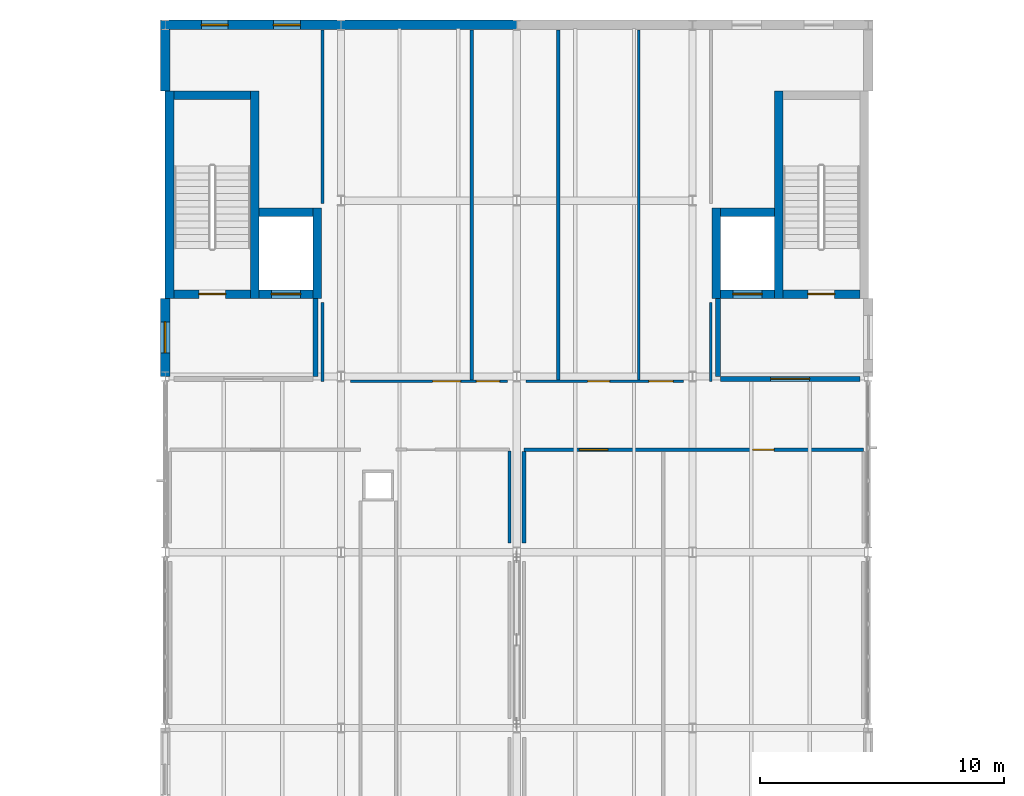
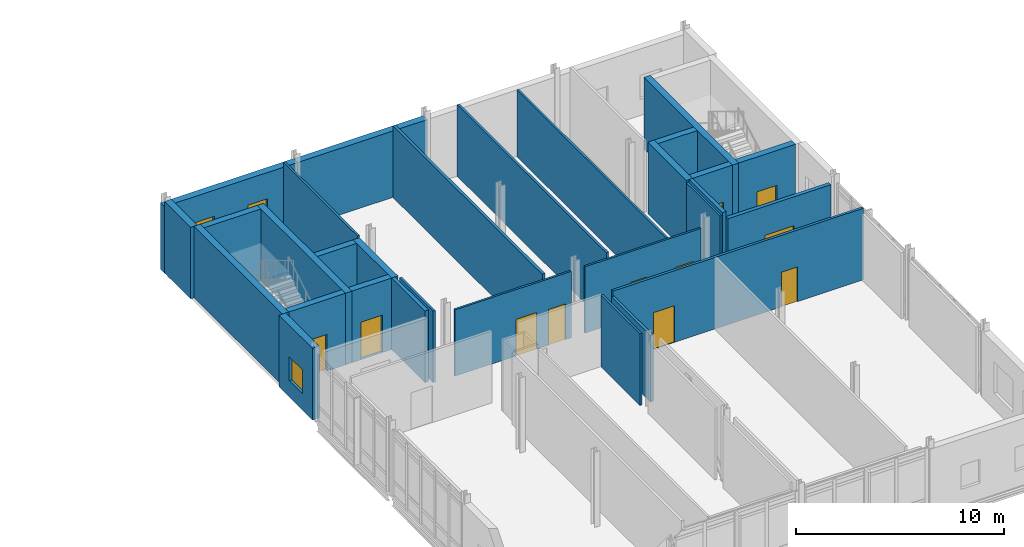
# One storey, part 61 of 72: 30 walls, 11 doors, 3 windows, 14 openings.
"""IFC4 building model written with IfcOpenShell, lengths in metres."""

from ifc_helpers import new_model, si_unit, direction, frame, frame_2d, origin, place, context, subcontext, project, spatial, rectangle, extrude, material, layer, layer_set, type_object, element, fill, save


model = new_model("IFC4")

# Units and contexts
model_context = context("Model", 3, precision=1e-05, world=origin(), true_north=direction((0.0, 1.0)))
body_context = subcontext(model_context, "Body", "Model", "MODEL_VIEW")
ifc_project = project(units=[si_unit("LENGTHUNIT", "METRE"), si_unit("AREAUNIT", "SQUARE_METRE"), si_unit("VOLUMEUNIT", "CUBIC_METRE"), si_unit("PLANEANGLEUNIT", "RADIAN"), si_unit("MASSUNIT", "GRAM", prefix="KILO")], contexts=[model_context])

# Site, building, storey
site_placement = place(None, origin())
site = spatial("IfcSite", under=ifc_project, at=site_placement, CompositionType="ELEMENT")
building_placement = place(site_placement, origin())
building = spatial("IfcBuilding", under=site, at=building_placement, Name="Zarrinpeak Specialist Clinic", CompositionType="ELEMENT")
storey_placement = place(building_placement, frame((0.0, 0.0, 9.60009765625)))
storey = spatial("IfcBuildingStorey", under=building, at=storey_placement, Name="L02", CompositionType="ELEMENT", Elevation=9.60009765625)

# Wall, opening, door
ifc_material_1 = material(Name="Concrete C40/50", Category="concrete")
ifc_layer_1 = layer(ifc_material_1, 0.35009765625)
ifc_layer_set_1 = layer_set([ifc_layer_1], Name="Concrete C40/50")
wall_type_1 = type_object("IfcWallType", Name="WL-CR350", PredefinedType="SHEAR", material=ifc_layer_set_1)
wall_1_placement = place(storey_placement, frame((36.35009765625, 106.97509765625, 0.0), z_axis=(0.0, 0.0, 1.0), x_axis=(1.0, 0.0, 0.0)))
wall_1 = element("IfcWall", 1, at=wall_1_placement, inside=storey, type_object=wall_type_1, Name="L02 Core C11 Shear Wall STS", PredefinedType="SHEAR", context=body_context, shape_type="SweptSolid", body=[
    extrude(rectangle(XDim=3.14990234375, YDim=0.35009765625, at=frame_2d((1.574951171875, 0.0))), origin(), (0.0, 0.0, 1.0), 4.199951171875),
])
opening_1_placement = place(wall_1_placement, frame((1.02490234375, 0.0, 0.0)))
opening_1 = element("IfcOpeningElement", 2, at=opening_1_placement, cuts=wall_1, Name="Opening D-S02", PredefinedType="OPENING", context=body_context, shape_type="SweptSolid", body=[
    extrude(rectangle(XDim=1.10009765625, YDim=2.14990234375, at=frame_2d((0.550048828125, 1.074951171875))), frame((0.0, 0.18505859375, 0.0), z_axis=(0.0, -1.0, 0.0), x_axis=(1.0, 0.0, 0.0)), (0.0, 0.0, 1.0), 0.3701171875),
])
ifc_material_2 = material(Name="Powder-Coated Galvanised Steel", Category="steel")
door_type_1 = type_object("IfcDoorType", Name="DR-FD110", OperationType="SINGLE_SWING_RIGHT", PredefinedType="DOOR", material=ifc_material_2)
door_1_placement = place(opening_1_placement, origin())
door_1 = element("IfcDoor", 3, at=door_1_placement, inside=storey, type_object=door_type_1, Name="L02 Protected Stair ST-11 Fire Door", OperationType="SINGLE_SWING_RIGHT", OverallHeight=2.14990234375, OverallWidth=1.10009765625, PredefinedType="DOOR", context=body_context, shape_type="SweptSolid", body=[
    extrude(rectangle(XDim=1.10009765625, YDim=2.14990234375, at=frame_2d((0.550048828125, 1.074951171875))), frame((0.0, 0.02490234375, 0.0), z_axis=(0.0, -1.0, 0.0), x_axis=(1.0, 0.0, 0.0)), (0.0, 0.0, 1.0), 0.050048828125),
])
fill(opening_1, door_1)

# Walls
wall_2_placement = place(storey_placement, frame((36.35009765625, 115.125, 0.0), z_axis=(0.0, 0.0, 1.0), x_axis=(1.0, 0.0, 0.0)))
element("IfcWall", 4, at=wall_2_placement, inside=storey, type_object=wall_type_1, Name="L02 Core C11 Shear Wall STN", PredefinedType="SHEAR", context=body_context, shape_type="SweptSolid", body=[
    extrude(rectangle(XDim=3.14990234375, YDim=0.35009765625, at=frame_2d((1.574951171875, 0.0))), origin(), (0.0, 0.0, 1.0), 4.199951171875),
])
for number, where, z_axis, x_axis, name in (
    (5, (36.175048828125, 106.800048828125, 0.0), (0.0, 0.0, 1.0), (0.0, 1.0, 0.0), "L02 Core C11 Shear Wall STW"),
    (6, (39.675048828125, 106.800048828125, 0.0), (0.0, 0.0, 1.0), (0.0, 1.0, 0.0), "L02 Core C11 Shear Wall STE"),
):
    element("IfcWall", number, at=place(storey_placement, frame(where, z_axis=z_axis, x_axis=x_axis)), inside=storey, type_object=wall_type_1, Name=name, PredefinedType="SHEAR", context=body_context, shape_type="SweptSolid", body=[
        extrude(rectangle(XDim=8.5, YDim=0.35009765625, at=frame_2d((4.25, 0.0))), origin(), (0.0, 0.0, 1.0), 4.199951171875),
    ])

# Wall, opening, door
wall_3_placement = place(storey_placement, frame((39.85009765625, 106.97509765625, 0.0), z_axis=(0.0, 0.0, 1.0), x_axis=(1.0, 0.0, 0.0)))
wall_3 = element("IfcWall", 7, at=wall_3_placement, inside=storey, type_object=wall_type_1, Name="L02 Lift LF-P1 Shaft Wall LFS", PredefinedType="SHEAR", context=body_context, shape_type="SweptSolid", body=[
    extrude(rectangle(XDim=2.199951171875, YDim=0.35009765625, at=frame_2d((1.10009765625, 0.0))), origin(), (0.0, 0.0, 1.0), 4.199951171875),
])
opening_2_placement = place(wall_3_placement, frame((0.5, 0.0, 0.0)))
opening_2 = element("IfcOpeningElement", 8, at=opening_2_placement, cuts=wall_3, Name="Opening LD-02", PredefinedType="OPENING", context=body_context, shape_type="SweptSolid", body=[
    extrude(rectangle(XDim=1.199951171875, YDim=2.199951171875, at=frame_2d((0.60009765625, 1.10009765625))), frame((0.0, 0.18505859375, 0.0), z_axis=(0.0, -1.0, 0.0), x_axis=(1.0, 0.0, 0.0)), (0.0, 0.0, 1.0), 0.3701171875),
])
door_type_2 = type_object("IfcDoorType", Name="DR-LD120", OperationType="SLIDING_TO_RIGHT", PredefinedType="DOOR", material=ifc_material_2)
door_2_placement = place(opening_2_placement, origin())
door_2 = element("IfcDoor", 9, at=door_2_placement, inside=storey, type_object=door_type_2, Name="L02 Lift LF-P1 Sliding Landing Door", OperationType="SLIDING_TO_RIGHT", OverallHeight=2.199951171875, OverallWidth=1.199951171875, PredefinedType="DOOR", context=body_context, shape_type="SweptSolid", body=[
    extrude(rectangle(XDim=1.199951171875, YDim=2.199951171875, at=frame_2d((0.60009765625, 1.10009765625))), frame((0.0, 0.02490234375, 0.0), z_axis=(0.0, -1.0, 0.0), x_axis=(1.0, 0.0, 0.0)), (0.0, 0.0, 1.0), 0.050048828125),
])
fill(opening_2, door_2)

# Walls
wall_4_placement = place(storey_placement, frame((39.85009765625, 110.324951171875, 0.0), z_axis=(0.0, 0.0, 1.0), x_axis=(1.0, 0.0, 0.0)))
element("IfcWall", 10, at=wall_4_placement, inside=storey, type_object=wall_type_1, Name="L02 Lift LF-P1 Shaft Wall LFN", PredefinedType="SHEAR", context=body_context, shape_type="SweptSolid", body=[
    extrude(rectangle(XDim=2.199951171875, YDim=0.35009765625, at=frame_2d((1.10009765625, 0.0))), origin(), (0.0, 0.0, 1.0), 4.199951171875),
])
wall_5_placement = place(storey_placement, frame((42.22509765625, 106.800048828125, 0.0), z_axis=(0.0, 0.0, 1.0), x_axis=(0.0, 1.0, 0.0)))
element("IfcWall", 11, at=wall_5_placement, inside=storey, type_object=wall_type_1, Name="L02 Lift LF-P1 Shaft Wall LFE", PredefinedType="SHEAR", context=body_context, shape_type="SweptSolid", body=[
    extrude(rectangle(XDim=3.699951171875, YDim=0.35009765625, at=frame_2d((1.85009765625, 0.0))), origin(), (0.0, 0.0, 1.0), 4.199951171875),
])

# Wall, opening, door
wall_6_placement = place(storey_placement, frame((61.300048828125, 106.97509765625, 0.0), z_axis=(0.0, 0.0, 1.0), x_axis=(1.0, 0.0, 0.0)))
wall_6 = element("IfcWall", 12, at=wall_6_placement, inside=storey, type_object=wall_type_1, Name="L02 Core C12 Shear Wall STS", PredefinedType="SHEAR", context=body_context, shape_type="SweptSolid", body=[
    extrude(rectangle(XDim=3.14990234375, YDim=0.35009765625, at=frame_2d((1.574951171875, 0.0))), origin(), (0.0, 0.0, 1.0), 4.199951171875),
])
opening_3_placement = place(wall_6_placement, frame((1.02490234375, 0.0, 0.0)))
opening_3 = element("IfcOpeningElement", 13, at=opening_3_placement, cuts=wall_6, Name="Opening D-S02", PredefinedType="OPENING", context=body_context, shape_type="SweptSolid", body=[
    extrude(rectangle(XDim=1.10009765625, YDim=2.14990234375, at=frame_2d((0.550048828125, 1.074951171875))), frame((0.0, 0.18505859375, 0.0), z_axis=(0.0, -1.0, 0.0), x_axis=(1.0, 0.0, 0.0)), (0.0, 0.0, 1.0), 0.3701171875),
])
door_3_placement = place(opening_3_placement, origin())
door_3 = element("IfcDoor", 14, at=door_3_placement, inside=storey, type_object=door_type_1, Name="L02 Protected Stair ST-12 Fire Door", OperationType="SINGLE_SWING_RIGHT", OverallHeight=2.14990234375, OverallWidth=1.10009765625, PredefinedType="DOOR", context=body_context, shape_type="SweptSolid", body=[
    extrude(rectangle(XDim=1.10009765625, YDim=2.14990234375, at=frame_2d((0.550048828125, 1.074951171875))), frame((0.0, 0.02490234375, 0.0), z_axis=(0.0, -1.0, 0.0), x_axis=(1.0, 0.0, 0.0)), (0.0, 0.0, 1.0), 0.050048828125),
])
fill(opening_3, door_3)

# Wall
wall_7_placement = place(storey_placement, frame((61.125, 106.800048828125, 0.0), z_axis=(0.0, 0.0, 1.0), x_axis=(0.0, 1.0, 0.0)))
element("IfcWall", 15, at=wall_7_placement, inside=storey, type_object=wall_type_1, Name="L02 Core C12 Shear Wall STW", PredefinedType="SHEAR", context=body_context, shape_type="SweptSolid", body=[
    extrude(rectangle(XDim=8.5, YDim=0.35009765625, at=frame_2d((4.25, 0.0))), origin(), (0.0, 0.0, 1.0), 4.199951171875),
])

# Wall, opening, door
wall_8_placement = place(storey_placement, frame((58.75, 106.97509765625, 0.0), z_axis=(0.0, 0.0, 1.0), x_axis=(1.0, 0.0, 0.0)))
wall_8 = element("IfcWall", 16, at=wall_8_placement, inside=storey, type_object=wall_type_1, Name="L02 Lift LF-P6 Shaft Wall LFS", PredefinedType="SHEAR", context=body_context, shape_type="SweptSolid", body=[
    extrude(rectangle(XDim=2.199951171875, YDim=0.35009765625, at=frame_2d((1.10009765625, 0.0))), origin(), (0.0, 0.0, 1.0), 4.199951171875),
])
opening_4_placement = place(wall_8_placement, frame((0.5, 0.0, 0.0)))
opening_4 = element("IfcOpeningElement", 17, at=opening_4_placement, cuts=wall_8, Name="Opening LD-02", PredefinedType="OPENING", context=body_context, shape_type="SweptSolid", body=[
    extrude(rectangle(XDim=1.199951171875, YDim=2.199951171875, at=frame_2d((0.60009765625, 1.10009765625))), frame((0.0, 0.18505859375, 0.0), z_axis=(0.0, -1.0, 0.0), x_axis=(1.0, 0.0, 0.0)), (0.0, 0.0, 1.0), 0.3701171875),
])
door_4_placement = place(opening_4_placement, origin())
door_4 = element("IfcDoor", 18, at=door_4_placement, inside=storey, type_object=door_type_2, Name="L02 Lift LF-P6 Sliding Landing Door", OperationType="SLIDING_TO_RIGHT", OverallHeight=2.199951171875, OverallWidth=1.199951171875, PredefinedType="DOOR", context=body_context, shape_type="SweptSolid", body=[
    extrude(rectangle(XDim=1.199951171875, YDim=2.199951171875, at=frame_2d((0.60009765625, 1.10009765625))), frame((0.0, 0.02490234375, 0.0), z_axis=(0.0, -1.0, 0.0), x_axis=(1.0, 0.0, 0.0)), (0.0, 0.0, 1.0), 0.050048828125),
])
fill(opening_4, door_4)

# Walls
wall_9_placement = place(storey_placement, frame((58.75, 110.324951171875, 0.0), z_axis=(0.0, 0.0, 1.0), x_axis=(1.0, 0.0, 0.0)))
element("IfcWall", 19, at=wall_9_placement, inside=storey, type_object=wall_type_1, Name="L02 Lift LF-P6 Shaft Wall LFN", PredefinedType="SHEAR", context=body_context, shape_type="SweptSolid", body=[
    extrude(rectangle(XDim=2.199951171875, YDim=0.35009765625, at=frame_2d((1.10009765625, 0.0))), origin(), (0.0, 0.0, 1.0), 4.199951171875),
])
wall_10_placement = place(storey_placement, frame((58.574951171875, 106.800048828125, 0.0), z_axis=(0.0, 0.0, 1.0), x_axis=(0.0, 1.0, 0.0)))
element("IfcWall", 20, at=wall_10_placement, inside=storey, type_object=wall_type_1, Name="L02 Lift LF-P6 Shaft Wall LFW", PredefinedType="SHEAR", context=body_context, shape_type="SweptSolid", body=[
    extrude(rectangle(XDim=3.699951171875, YDim=0.35009765625, at=frame_2d((1.85009765625, 0.0))), origin(), (0.0, 0.0, 1.0), 4.199951171875),
])

# Wall, openings, windows
ifc_material_3 = material(Name="Precast concrete C40/50", Category="concrete")
ifc_layer_2 = layer(ifc_material_3, 0.3798828125)
ifc_layer_set_2 = layer_set([ifc_layer_2], Name="Precast concrete C40/50")
wall_type_2 = type_object("IfcWallType", Name="WL-EW380", PredefinedType="STANDARD", material=ifc_layer_set_2)
wall_11_placement = place(storey_placement, frame((43.199951171875, 118.0, 0.0), z_axis=(0.0, 0.0, 1.0), x_axis=(-1.0, 0.0, 0.0)))
wall_11 = element("IfcWall", 21, at=wall_11_placement, inside=storey, type_object=wall_type_2, Name="L02 V6 Exterior GRC Wall EW-L02-V6-0291", PredefinedType="STANDARD", context=body_context, shape_type="SweptSolid", body=[
    extrude(rectangle(XDim=7.389892578125, YDim=0.3798828125, at=frame_2d((3.69482421875, 0.0))), origin(), (0.0, 0.0, 1.0), 3.89501953125),
])
opening_5_placement = place(wall_11_placement, frame((1.66796875, 0.0, 0.949951171875)))
opening_5 = element("IfcOpeningElement", 22, at=opening_5_placement, cuts=wall_11, Name="Opening WS-60", PredefinedType="OPENING", context=body_context, shape_type="SweptSolid", body=[
    extrude(rectangle(XDim=1.097900390625, YDim=1.404052734375, at=frame_2d((0.548828125, 0.7021484375))), frame((0.0, 0.199951171875, 0.0), z_axis=(0.0, -1.0, 0.0), x_axis=(1.0, 0.0, 0.0)), (0.0, 0.0, 1.0), 0.39990234375),
])
opening_6_placement = place(wall_11_placement, frame((4.6240234375, 0.0, 0.949951171875)))
opening_6 = element("IfcOpeningElement", 23, at=opening_6_placement, cuts=wall_11, Name="Opening WS-60", PredefinedType="OPENING", context=body_context, shape_type="SweptSolid", body=[
    extrude(rectangle(XDim=1.097900390625, YDim=1.404052734375, at=frame_2d((0.548828125, 0.7021484375))), frame((0.0, 0.199951171875, 0.0), z_axis=(0.0, -1.0, 0.0), x_axis=(1.0, 0.0, 0.0)), (0.0, 0.0, 1.0), 0.39990234375),
])
ifc_material_4 = material(Name="Thermally Broken Aluminium and Low-E Glazing", Category="aluminium")
window_type_1 = type_object("IfcWindowType", Name="WN-SP60", PartitioningType="SINGLE_PANEL", PredefinedType="WINDOW", material=ifc_material_4)
window_1_placement = place(opening_5_placement, origin())
window_1 = element("IfcWindow", 24, at=window_1_placement, inside=storey, type_object=window_type_1, Name="L02 Modular Facade Window WN-L02-0332", OverallHeight=1.404052734375, OverallWidth=1.097900390625, PartitioningType="SINGLE_PANEL", PredefinedType="WINDOW", context=body_context, shape_type="SweptSolid", body=[
    extrude(rectangle(XDim=1.097900390625, YDim=1.404052734375, at=frame_2d((0.548828125, 0.7021484375))), frame((0.0, 0.030029296875, 0.0), z_axis=(0.0, -1.0, 0.0), x_axis=(1.0, 0.0, 0.0)), (0.0, 0.0, 1.0), 0.06005859375),
])
fill(opening_5, window_1)
window_2_placement = place(opening_6_placement, origin())
window_2 = element("IfcWindow", 25, at=window_2_placement, inside=storey, type_object=window_type_1, Name="L02 Modular Facade Window WN-L02-0333", OverallHeight=1.404052734375, OverallWidth=1.097900390625, PartitioningType="SINGLE_PANEL", PredefinedType="WINDOW", context=body_context, shape_type="SweptSolid", body=[
    extrude(rectangle(XDim=1.097900390625, YDim=1.404052734375, at=frame_2d((0.548828125, 0.7021484375))), frame((0.0, 0.030029296875, 0.0), z_axis=(0.0, -1.0, 0.0), x_axis=(1.0, 0.0, 0.0)), (0.0, 0.0, 1.0), 0.06005859375),
])
fill(opening_6, window_2)

# Wall
wall_12_placement = place(storey_placement, frame((50.39990234375, 118.0, 0.0), z_axis=(0.0, 0.0, 1.0), x_axis=(-1.0, 0.0, 0.0)))
element("IfcWall", 26, at=wall_12_placement, inside=storey, type_object=wall_type_2, Name="L02 V6 Exterior GRC Wall EW-L02-V6-0292", PredefinedType="STANDARD", context=body_context, shape_type="SweptSolid", body=[
    extrude(rectangle(XDim=7.199951171875, YDim=0.3798828125, at=frame_2d((3.60009765625, 0.0))), origin(), (0.0, 0.0, 1.0), 3.89501953125),
])

# Wall, opening, window
wall_13_placement = place(storey_placement, frame((36.0, 106.800048828125, 0.0), z_axis=(0.0, 0.0, 1.0), x_axis=(0.0, -1.0, 0.0)))
wall_13 = element("IfcWall", 27, at=wall_13_placement, inside=storey, type_object=wall_type_2, Name="L02 V6 Exterior GRC Wall EW-L02-V6-0296", PredefinedType="STANDARD", context=body_context, shape_type="SweptSolid", body=[
    extrude(rectangle(XDim=3.199951171875, YDim=0.3798828125, at=frame_2d((1.60009765625, 0.0))), origin(), (0.0, 0.0, 1.0), 4.199951171875),
])
opening_7_placement = place(wall_13_placement, frame((0.966064453125, 0.0, 0.949951171875)))
opening_7 = element("IfcOpeningElement", 28, at=opening_7_placement, cuts=wall_13, Name="Opening WS-65", PredefinedType="OPENING", context=body_context, shape_type="SweptSolid", body=[
    extrude(rectangle(XDim=1.26806640625, YDim=1.404052734375, at=frame_2d((0.634033203125, 0.7021484375))), frame((0.0, 0.199951171875, 0.0), z_axis=(0.0, -1.0, 0.0), x_axis=(1.0, 0.0, 0.0)), (0.0, 0.0, 1.0), 0.39990234375),
])
window_type_2 = type_object("IfcWindowType", Name="WN-SP65", PartitioningType="SINGLE_PANEL", PredefinedType="WINDOW", material=ifc_material_4)
window_3_placement = place(opening_7_placement, origin())
window_3 = element("IfcWindow", 29, at=window_3_placement, inside=storey, type_object=window_type_2, Name="L02 Modular Facade Window WN-L02-0338", OverallHeight=1.404052734375, OverallWidth=1.26806640625, PartitioningType="SINGLE_PANEL", PredefinedType="WINDOW", context=body_context, shape_type="SweptSolid", body=[
    extrude(rectangle(XDim=1.26806640625, YDim=1.404052734375, at=frame_2d((0.634033203125, 0.7021484375))), frame((0.0, 0.030029296875, 0.0), z_axis=(0.0, -1.0, 0.0), x_axis=(1.0, 0.0, 0.0)), (0.0, 0.0, 1.0), 0.06005859375),
])
fill(opening_7, window_3)

# Wall
wall_14_placement = place(storey_placement, frame((36.0, 117.81005859375, 0.0), z_axis=(0.0, 0.0, 1.0), x_axis=(0.0, -1.0, 0.0)))
element("IfcWall", 30, at=wall_14_placement, inside=storey, type_object=wall_type_2, Name="L02 V6 Exterior GRC Wall EW-L02-V6-0297", PredefinedType="STANDARD", context=body_context, shape_type="SweptSolid", body=[
    extrude(rectangle(XDim=2.510009765625, YDim=0.3798828125, at=frame_2d((1.2548828125, 0.0))), origin(), (0.0, 0.0, 1.0), 4.199951171875),
])

# Wall, openings, doors
ifc_material_5 = material(Name="Sanitary Service Chase Plumbing Wall", Category="gypsum")
ifc_layer_3 = layer(ifc_material_5, 0.110107421875)
ifc_layer_set_3 = layer_set([ifc_layer_3], Name="Sanitary Service Chase Plumbing Wall")
wall_type_3 = type_object("IfcWallType", Name="WL-IW110", PredefinedType="PARTITIONING", material=ifc_layer_set_3)
wall_15_placement = place(storey_placement, frame((43.580078125, 103.39990234375, 0.0), z_axis=(0.0, 0.0, 1.0), x_axis=(1.0, 0.0, 0.0)))
wall_15 = element("IfcWall", 31, at=wall_15_placement, inside=storey, type_object=wall_type_3, Name="L02 Accessible Staff WC Partition", PredefinedType="PARTITIONING", context=body_context, shape_type="SweptSolid", body=[
    extrude(rectangle(XDim=6.43994140625, YDim=0.110107421875, at=frame_2d((3.219970703125, 0.0))), origin(), (0.0, 0.0, 1.0), 3.89501953125),
])
opening_8_placement = place(wall_15_placement, frame((5.169921875, 0.0, 0.0)))
opening_8 = element("IfcOpeningElement", 32, at=opening_8_placement, cuts=wall_15, Name="Opening D-C02", PredefinedType="OPENING", context=body_context, shape_type="SweptSolid", body=[
    extrude(rectangle(XDim=0.949951171875, YDim=2.10009765625, at=frame_2d((0.47509765625, 1.050048828125))), frame((0.0, 0.06494140625, 0.0), z_axis=(0.0, -1.0, 0.0), x_axis=(1.0, 0.0, 0.0)), (0.0, 0.0, 1.0), 0.130126953125),
])
opening_9_placement = place(wall_15_placement, frame((3.3701171875, 0.0, 0.0)))
opening_9 = element("IfcOpeningElement", 33, at=opening_9_placement, cuts=wall_15, Name="Opening D-LB1", PredefinedType="OPENING", context=body_context, shape_type="SweptSolid", body=[
    extrude(rectangle(XDim=1.14990234375, YDim=2.14990234375, at=frame_2d((0.574951171875, 1.074951171875))), frame((0.0, 0.06494140625, 0.0), z_axis=(0.0, -1.0, 0.0), x_axis=(1.0, 0.0, 0.0)), (0.0, 0.0, 1.0), 0.130126953125),
])
ifc_material_6 = material(Name="Flush Acoustic Hardwood and Vision Glass", Category="wood")
door_type_3 = type_object("IfcDoorType", Name="DR-CL95", OperationType="SINGLE_SWING_LEFT", PredefinedType="DOOR", material=ifc_material_6)
door_5_placement = place(opening_8_placement, frame((0.949951171875, 0.0, 0.0), z_axis=(0.0, 0.0, 1.0), x_axis=(-1.0, 0.0, 0.0)))
door_5 = element("IfcDoor", 34, at=door_5_placement, inside=storey, type_object=door_type_3, Name="L02 Pathologists Consultation Office Door", OperationType="SINGLE_SWING_LEFT", OverallHeight=2.10009765625, OverallWidth=0.949951171875, PredefinedType="DOOR", context=body_context, shape_type="SweptSolid", body=[
    extrude(rectangle(XDim=0.949951171875, YDim=2.10009765625, at=frame_2d((0.47509765625, 1.050048828125))), frame((0.0, 0.02490234375, 0.0), z_axis=(0.0, -1.0, 0.0), x_axis=(1.0, 0.0, 0.0)), (0.0, 0.0, 1.0), 0.050048828125),
])
fill(opening_8, door_5)
door_type_4 = type_object("IfcDoorType", Name="DR-LAB115", OperationType="SINGLE_SWING_LEFT", PredefinedType="DOOR", material=ifc_material_2)
door_6_placement = place(opening_9_placement, frame((1.14990234375, 0.0, 0.0), z_axis=(0.0, 0.0, 1.0), x_axis=(-1.0, 0.0, 0.0)))
door_6 = element("IfcDoor", 35, at=door_6_placement, inside=storey, type_object=door_type_4, Name="L02 Histopathology Microscopy Suite Door", OperationType="SINGLE_SWING_LEFT", OverallHeight=2.14990234375, OverallWidth=1.14990234375, PredefinedType="DOOR", context=body_context, shape_type="SweptSolid", body=[
    extrude(rectangle(XDim=1.14990234375, YDim=2.14990234375, at=frame_2d((0.574951171875, 1.074951171875))), frame((0.0, 0.02490234375, 0.0), z_axis=(0.0, -1.0, 0.0), x_axis=(1.0, 0.0, 0.0)), (0.0, 0.0, 1.0), 0.050048828125),
])
fill(opening_9, door_6)

wall_16_placement = place(storey_placement, frame((50.780029296875, 103.39990234375, 0.0), z_axis=(0.0, 0.0, 1.0), x_axis=(1.0, 0.0, 0.0)))
wall_16 = element("IfcWall", 36, at=wall_16_placement, inside=storey, type_object=wall_type_3, Name="L02 Accessible Staff WC Partition", PredefinedType="PARTITIONING", context=body_context, shape_type="SweptSolid", body=[
    extrude(rectangle(XDim=6.43994140625, YDim=0.110107421875, at=frame_2d((3.219970703125, 0.0))), origin(), (0.0, 0.0, 1.0), 3.89501953125),
])
opening_10_placement = place(wall_16_placement, frame((5.030029296875, 0.0, 0.0)))
opening_10 = element("IfcOpeningElement", 37, at=opening_10_placement, cuts=wall_16, Name="Opening D-W02", PredefinedType="OPENING", context=body_context, shape_type="SweptSolid", body=[
    extrude(rectangle(XDim=1.0, YDim=2.10009765625, at=frame_2d((0.5, 1.050048828125))), frame((0.0, 0.06494140625, 0.0), z_axis=(0.0, -1.0, 0.0), x_axis=(1.0, 0.0, 0.0)), (0.0, 0.0, 1.0), 0.130126953125),
])
opening_11_placement = place(wall_16_placement, frame((2.52001953125, 0.0, 0.0)))
opening_11 = element("IfcOpeningElement", 38, at=opening_11_placement, cuts=wall_16, Name="Opening D-W01", PredefinedType="OPENING", context=body_context, shape_type="SweptSolid", body=[
    extrude(rectangle(XDim=0.89990234375, YDim=2.10009765625, at=frame_2d((0.449951171875, 1.050048828125))), frame((0.0, 0.06494140625, 0.0), z_axis=(0.0, -1.0, 0.0), x_axis=(1.0, 0.0, 0.0)), (0.0, 0.0, 1.0), 0.130126953125),
])
door_type_5 = type_object("IfcDoorType", Name="DR-AWC100", OperationType="SLIDING_TO_LEFT", PredefinedType="DOOR", material=ifc_material_2)
door_7_placement = place(opening_10_placement, frame((1.0, 0.0, 0.0), z_axis=(0.0, 0.0, 1.0), x_axis=(-1.0, 0.0, 0.0)))
door_7 = element("IfcDoor", 39, at=door_7_placement, inside=storey, type_object=door_type_5, Name="L02 Accessible Staff WC Door", OperationType="SLIDING_TO_LEFT", OverallHeight=2.10009765625, OverallWidth=1.0, PredefinedType="DOOR", context=body_context, shape_type="SweptSolid", body=[
    extrude(rectangle(XDim=1.0, YDim=2.10009765625, at=frame_2d((0.5, 1.050048828125))), frame((0.0, 0.02490234375, 0.0), z_axis=(0.0, -1.0, 0.0), x_axis=(1.0, 0.0, 0.0)), (0.0, 0.0, 1.0), 0.050048828125),
])
fill(opening_10, door_7)
door_type_6 = type_object("IfcDoorType", Name="DR-WC90", OperationType="SINGLE_SWING_RIGHT", PredefinedType="DOOR", material=ifc_material_2)
door_8_placement = place(opening_11_placement, frame((0.89990234375, 0.0, 0.0), z_axis=(0.0, 0.0, 1.0), x_axis=(-1.0, 0.0, 0.0)))
door_8 = element("IfcDoor", 40, at=door_8_placement, inside=storey, type_object=door_type_6, Name="L02 Staff WC Door", OperationType="SINGLE_SWING_RIGHT", OverallHeight=2.10009765625, OverallWidth=0.89990234375, PredefinedType="DOOR", context=body_context, shape_type="SweptSolid", body=[
    extrude(rectangle(XDim=0.89990234375, YDim=2.10009765625, at=frame_2d((0.449951171875, 1.050048828125))), frame((0.0, 0.02490234375, 0.0), z_axis=(0.0, -1.0, 0.0), x_axis=(1.0, 0.0, 0.0)), (0.0, 0.0, 1.0), 0.050048828125),
])
fill(opening_11, door_8)

# Walls
wall_17_placement = place(storey_placement, frame((55.39990234375, 103.455078125, 0.0), z_axis=(0.0, 0.0, 1.0), x_axis=(0.0, 1.0, 0.0)))
element("IfcWall", 41, at=wall_17_placement, inside=storey, type_object=wall_type_3, Name="L02 Accessible Staff WC Dividing Partition", PredefinedType="PARTITIONING", context=body_context, shape_type="SweptSolid", body=[
    extrude(rectangle(XDim=14.344970703125, YDim=0.110107421875, at=frame_2d((7.17236328125, 0.0))), origin(), (0.0, 0.0, 1.0), 3.914794921875),
])
wall_18_placement = place(storey_placement, frame((58.35009765625, 103.39990234375, 0.0), z_axis=(0.0, 0.0, 1.0), x_axis=(0.0, 1.0, 0.0)))
element("IfcWall", 42, at=wall_18_placement, inside=storey, type_object=wall_type_3, Name="L02 Accessible Staff WC Dividing Partition", PredefinedType="PARTITIONING", context=body_context, shape_type="SweptSolid", body=[
    extrude(rectangle(XDim=3.22509765625, YDim=0.110107421875, at=frame_2d((1.612548828125, 0.0))), origin(), (0.0, 0.0, 1.0), 4.199951171875),
])
ifc_material_7 = material(Name="Cleanroom Flush Phenolic Partition", Category="gypsum")
ifc_layer_4 = layer(ifc_material_7, 0.117919921875)
ifc_layer_set_4 = layer_set([ifc_layer_4], Name="Cleanroom Flush Phenolic Partition")
wall_type_4 = type_object("IfcWallType", Name="WL-IW118", PredefinedType="PARTITIONING", material=ifc_layer_set_4)
wall_19_placement = place(storey_placement, frame((42.449951171875, 103.39990234375, 0.0), z_axis=(0.0, 0.0, 1.0), x_axis=(0.0, 1.0, 0.0)))
element("IfcWall", 43, at=wall_19_placement, inside=storey, type_object=wall_type_4, Name="L02 Histopathology Microscopy Suite Dividing Partition", PredefinedType="PARTITIONING", context=body_context, shape_type="SweptSolid", body=[
    extrude(rectangle(XDim=3.22509765625, YDim=0.117919921875, at=frame_2d((1.612548828125, 0.0))), origin(), (0.0, 0.0, 1.0), 4.199951171875),
])
wall_20_placement = place(storey_placement, frame((42.449951171875, 110.675048828125, 0.0), z_axis=(0.0, 0.0, 1.0), x_axis=(0.0, 1.0, 0.0)))
element("IfcWall", 44, at=wall_20_placement, inside=storey, type_object=wall_type_4, Name="L02 Histopathology Microscopy Suite Dividing Partition", PredefinedType="PARTITIONING", context=body_context, shape_type="SweptSolid", body=[
    extrude(rectangle(XDim=7.125, YDim=0.117919921875, at=frame_2d((3.5625, 0.0))), origin(), (0.0, 0.0, 1.0), 4.199951171875),
])
wall_21_placement = place(storey_placement, frame((50.10009765625, 96.780029296875, 0.0), z_axis=(0.0, 0.0, 1.0), x_axis=(0.0, 1.0, 0.0)))
element("IfcWall", 45, at=wall_21_placement, inside=storey, type_object=wall_type_4, Name="L02 Molecular Diagnostics PCR Lab Dividing Partition", PredefinedType="PARTITIONING", context=body_context, shape_type="SweptSolid", body=[
    extrude(rectangle(XDim=3.760986328125, YDim=0.117919921875, at=frame_2d((1.88037109375, 0.0))), origin(), (0.0, 0.0, 1.0), 4.199951171875),
])
ifc_material_8 = material(Name="Moisture-Resistant Wet-Room Partition", Category="gypsum")
ifc_layer_5 = layer(ifc_material_8, 0.125)
ifc_layer_set_5 = layer_set([ifc_layer_5], Name="Moisture-Resistant Wet-Room Partition")
wall_type_5 = type_object("IfcWallType", Name="WL-IW125W", PredefinedType="PARTITIONING", material=ifc_layer_set_5)
wall_22_placement = place(storey_placement, frame((52.10009765625, 103.455078125, 0.0), z_axis=(0.0, 0.0, 1.0), x_axis=(0.0, 1.0, 0.0)))
element("IfcWall", 46, at=wall_22_placement, inside=storey, type_object=wall_type_5, Name="L02 Staff WC Dividing Partition", PredefinedType="PARTITIONING", context=body_context, shape_type="SweptSolid", body=[
    extrude(rectangle(XDim=14.344970703125, YDim=0.125, at=frame_2d((7.17236328125, 0.0))), origin(), (0.0, 0.0, 1.0), 4.199951171875),
])

# Wall, openings, doors
ifc_material_9 = material(Name="Acoustic Consultation Stud Partition", Category="gypsum")
ifc_layer_6 = layer(ifc_material_9, 0.14208984375)
ifc_layer_set_6 = layer_set([ifc_layer_6], Name="Acoustic Consultation Stud Partition")
wall_type_6 = type_object("IfcWallType", Name="WL-IW142", PredefinedType="PARTITIONING", material=ifc_layer_set_6)
wall_23_placement = place(storey_placement, frame((50.699951171875, 100.60009765625, 0.0), z_axis=(0.0, 0.0, 1.0), x_axis=(1.0, 0.0, 0.0)))
wall_23 = element("IfcWall", 47, at=wall_23_placement, inside=storey, type_object=wall_type_6, Name="L02 Specialist Consultation Room 1 Partition", PredefinedType="PARTITIONING", context=body_context, shape_type="SweptSolid", body=[
    extrude(rectangle(XDim=13.900146484375, YDim=0.14208984375, at=frame_2d((6.9501953125, 0.0))), origin(), (0.0, 0.0, 1.0), 4.199951171875),
])
opening_12_placement = place(wall_23_placement, frame((2.26708984375, 0.0, 0.0)))
opening_12 = element("IfcOpeningElement", 48, at=opening_12_placement, cuts=wall_23, Name="Opening DS-64", PredefinedType="OPENING", context=body_context, shape_type="SweptSolid", body=[
    extrude(rectangle(XDim=1.166015625, YDim=2.152099609375, at=frame_2d((0.5830078125, 1.076171875))), frame((0.0, 0.0810546875, 0.0), z_axis=(0.0, -1.0, 0.0), x_axis=(1.0, 0.0, 0.0)), (0.0, 0.0, 1.0), 0.162109375),
])
opening_13_placement = place(wall_23_placement, frame((9.360107421875, 0.0, 0.0)))
opening_13 = element("IfcOpeningElement", 49, at=opening_13_placement, cuts=wall_23, Name="Opening DS-01", PredefinedType="OPENING", context=body_context, shape_type="SweptSolid", body=[
    extrude(rectangle(XDim=0.8798828125, YDim=2.0400390625, at=frame_2d((0.43994140625, 1.02001953125))), frame((0.0, 0.0810546875, 0.0), z_axis=(0.0, -1.0, 0.0), x_axis=(1.0, 0.0, 0.0)), (0.0, 0.0, 1.0), 0.162109375),
])
door_type_7 = type_object("IfcDoorType", Name="DR-SP01", OperationType="SINGLE_SWING_RIGHT", PredefinedType="DOOR", material=ifc_material_2)
door_9_placement = place(opening_13_placement, origin())
door_9 = element("IfcDoor", 50, at=door_9_placement, inside=storey, type_object=door_type_7, Name="L02 Specialist Consultation Room 3 Door", OperationType="SINGLE_SWING_RIGHT", OverallHeight=2.0400390625, OverallWidth=0.8798828125, PredefinedType="DOOR", context=body_context, shape_type="SweptSolid", body=[
    extrude(rectangle(XDim=0.8798828125, YDim=2.0400390625, at=frame_2d((0.43994140625, 1.02001953125))), frame((0.0, 0.02490234375, 0.0), z_axis=(0.0, -1.0, 0.0), x_axis=(1.0, 0.0, 0.0)), (0.0, 0.0, 1.0), 0.050048828125),
])
fill(opening_13, door_9)
door_type_8 = type_object("IfcDoorType", Name="DR-SP64", OperationType="SINGLE_SWING_LEFT", PredefinedType="DOOR", material=ifc_material_2)
door_10_placement = place(opening_12_placement, origin())
door_10 = element("IfcDoor", 51, at=door_10_placement, inside=storey, type_object=door_type_8, Name="L02 Specialist Consultation Room 1 Door", OperationType="SINGLE_SWING_LEFT", OverallHeight=2.152099609375, OverallWidth=1.166015625, PredefinedType="DOOR", context=body_context, shape_type="SweptSolid", body=[
    extrude(rectangle(XDim=1.166015625, YDim=2.152099609375, at=frame_2d((0.5830078125, 1.076171875))), frame((0.0, 0.02490234375, 0.0), z_axis=(0.0, -1.0, 0.0), x_axis=(1.0, 0.0, 0.0)), (0.0, 0.0, 1.0), 0.050048828125),
])
fill(opening_12, door_10)

# Walls
ifc_material_10 = material(Name="Insulated Clinical Gypsum Stud Partition", Category="gypsum")
ifc_layer_7 = layer(ifc_material_10, 0.14990234375)
ifc_layer_set_7 = layer_set([ifc_layer_7], Name="Insulated Clinical Gypsum Stud Partition")
wall_type_7 = type_object("IfcWallType", Name="WL-IW150", PredefinedType="PARTITIONING", material=ifc_layer_set_7)
wall_24_placement = place(storey_placement, frame((48.550048828125, 103.455078125, 0.0), z_axis=(0.0, 0.0, 1.0), x_axis=(0.0, 1.0, 0.0)))
element("IfcWall", 52, at=wall_24_placement, inside=storey, type_object=wall_type_7, Name="L02 Pathologists Consultation Office Dividing Partition", PredefinedType="PARTITIONING", context=body_context, shape_type="SweptSolid", body=[
    extrude(rectangle(XDim=14.344970703125, YDim=0.14990234375, at=frame_2d((7.17236328125, 0.0))), origin(), (0.0, 0.0, 1.0), 4.199951171875),
])
ifc_material_11 = material(Name="Acoustic Double Gypsum Stud Partition", Category="gypsum")
ifc_layer_8 = layer(ifc_material_11, 0.159912109375)
ifc_layer_set_8 = layer_set([ifc_layer_8], Name="Acoustic Double Gypsum Stud Partition")
wall_type_8 = type_object("IfcWallType", Name="WL-IW160", PredefinedType="PARTITIONING", material=ifc_layer_set_8)
wall_25_placement = place(storey_placement, frame((50.699951171875, 96.780029296875, 0.0), z_axis=(0.0, 0.0, 1.0), x_axis=(0.0, 1.0, 0.0)))
element("IfcWall", 53, at=wall_25_placement, inside=storey, type_object=wall_type_8, Name="L02 Specialist Consultation Room 1 Dividing Partition", PredefinedType="PARTITIONING", context=body_context, shape_type="SweptSolid", body=[
    extrude(rectangle(XDim=3.7490234375, YDim=0.159912109375, at=frame_2d((1.87451171875, 0.0))), origin(), (0.0, 0.0, 1.0), 3.89501953125),
])
ifc_material_12 = material(Name="Autoclaved Aerated Concrete Blockwork", Category="masonry")
ifc_layer_9 = layer(ifc_material_12, 0.199951171875)
ifc_layer_set_9 = layer_set([ifc_layer_9], Name="Autoclaved Aerated Concrete Blockwork")
wall_type_9 = type_object("IfcWallType", Name="WL-IW200", PredefinedType="PARTITIONING", material=ifc_layer_set_9)
wall_26_placement = place(storey_placement, frame((42.14990234375, 103.60009765625, 0.0), z_axis=(0.0, 0.0, 1.0), x_axis=(0.0, 1.0, 0.0)))
element("IfcWall", 54, at=wall_26_placement, inside=storey, type_object=wall_type_9, Name="L02 C11 Protected Lobby Partition LBE", PredefinedType="PARTITIONING", context=body_context, shape_type="SweptSolid", body=[
    extrude(rectangle(XDim=3.199951171875, YDim=0.199951171875, at=frame_2d((1.60009765625, 0.0))), origin(), (0.0, 0.0, 1.0), 4.199951171875),
])

# Wall, opening, door
wall_27_placement = place(storey_placement, frame((58.75, 103.5, 0.0), z_axis=(0.0, 0.0, 1.0), x_axis=(1.0, 0.0, 0.0)))
wall_27 = element("IfcWall", 55, at=wall_27_placement, inside=storey, type_object=wall_type_9, Name="L02 C12 Protected Lobby Partition LBF", PredefinedType="PARTITIONING", context=body_context, shape_type="SweptSolid", body=[
    extrude(rectangle(XDim=5.699951171875, YDim=0.199951171875, at=frame_2d((2.85009765625, 0.0))), origin(), (0.0, 0.0, 1.0), 3.89501953125),
])
opening_14_placement = place(wall_27_placement, frame((2.050048828125, 0.0, 0.0)))
opening_14 = element("IfcOpeningElement", 56, at=opening_14_placement, cuts=wall_27, Name="Opening D-L01", PredefinedType="OPENING", context=body_context, shape_type="SweptSolid", body=[
    extrude(rectangle(XDim=1.60009765625, YDim=2.199951171875, at=frame_2d((0.800048828125, 1.10009765625))), frame((0.0, 0.10986328125, 0.0), z_axis=(0.0, -1.0, 0.0), x_axis=(1.0, 0.0, 0.0)), (0.0, 0.0, 1.0), 0.219970703125),
])
door_type_9 = type_object("IfcDoorType", Name="DR-LB160", OperationType="DOUBLE_DOOR_SINGLE_SWING", PredefinedType="DOOR", material=ifc_material_2)
door_11_placement = place(opening_14_placement, origin())
door_11 = element("IfcDoor", 57, at=door_11_placement, inside=storey, type_object=door_type_9, Name="L02 C12 Lobby Hold-Open Fire Door", OperationType="DOUBLE_DOOR_SINGLE_SWING", OverallHeight=2.199951171875, OverallWidth=1.60009765625, PredefinedType="DOOR", context=body_context, shape_type="SweptSolid", body=[
    extrude(rectangle(XDim=1.60009765625, YDim=2.199951171875, at=frame_2d((0.800048828125, 1.10009765625))), frame((0.0, 0.02490234375, 0.0), z_axis=(0.0, -1.0, 0.0), x_axis=(1.0, 0.0, 0.0)), (0.0, 0.0, 1.0), 0.050048828125),
])
fill(opening_14, door_11)

# Wall
wall_28_placement = place(storey_placement, frame((58.64990234375, 103.60009765625, 0.0), z_axis=(0.0, 0.0, 1.0), x_axis=(0.0, 1.0, 0.0)))
element("IfcWall", 58, at=wall_28_placement, inside=storey, type_object=wall_type_9, Name="L02 C12 Protected Lobby Partition LBW", PredefinedType="PARTITIONING", context=body_context, shape_type="SweptSolid", body=[
    extrude(rectangle(XDim=3.199951171875, YDim=0.199951171875, at=frame_2d((1.60009765625, 0.0))), origin(), (0.0, 0.0, 1.0), 4.199951171875),
])

save(model, "model.ifc")
